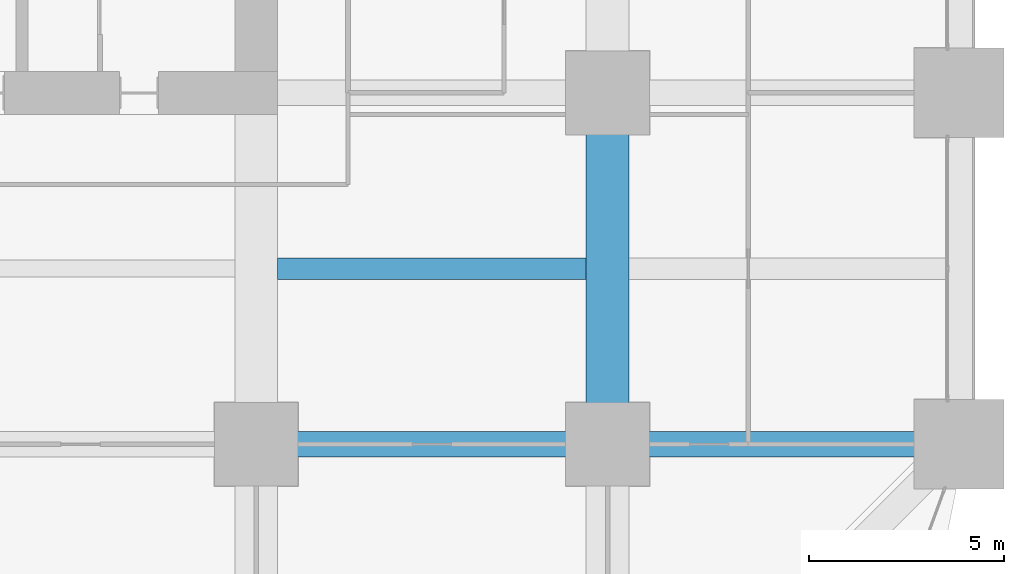
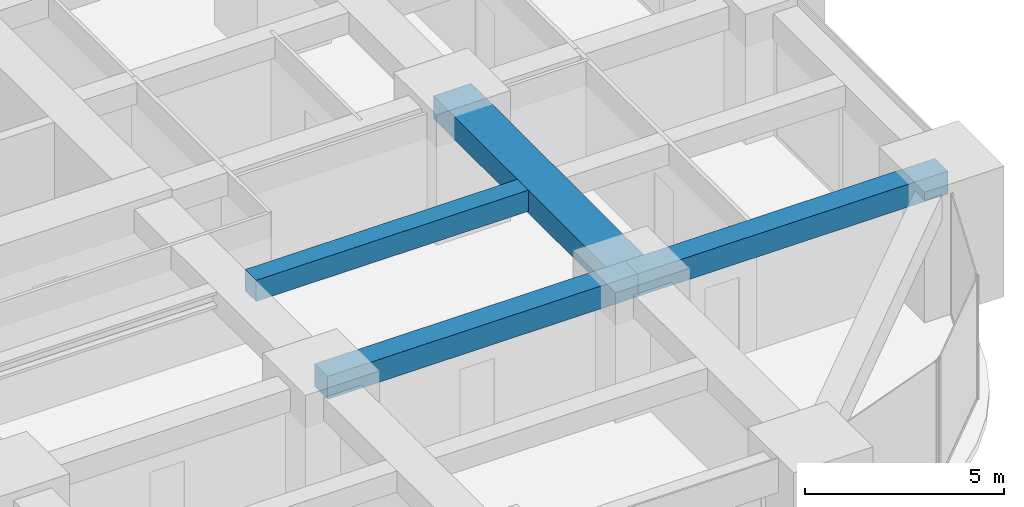
# One storey, part 17 of 44: 4 beams.
"""IFC4 building model written with IfcOpenShell, lengths in metres."""

from ifc_helpers import new_model, si_unit, direction, frame, origin, origin_2d, place, context, subcontext, project, spatial, rectangle, extrude, material, material_profile, profile_set, type_object, element, save


model = new_model("IFC4")

# Units and contexts
model_context = context("Model", 3, precision=1e-05, world=origin(), true_north=direction((0.0, 1.0)))
body_context = subcontext(model_context, "Body", "Model", "MODEL_VIEW")
ifc_project = project(units=[si_unit("LENGTHUNIT", "METRE"), si_unit("AREAUNIT", "SQUARE_METRE"), si_unit("VOLUMEUNIT", "CUBIC_METRE"), si_unit("PLANEANGLEUNIT", "RADIAN"), si_unit("MASSUNIT", "GRAM", prefix="KILO")], contexts=[model_context])

# Site, building, storey
site_placement = place(None, origin())
site = spatial("IfcSite", under=ifc_project, at=site_placement, CompositionType="ELEMENT")
building_placement = place(site_placement, origin())
building = spatial("IfcBuilding", under=site, at=building_placement, Name="Zorevar Civic Tower", CompositionType="ELEMENT")
storey_placement = place(building_placement, frame((0.0, 0.0, 55.800048828125)))
storey = spatial("IfcBuildingStorey", under=building, at=storey_placement, Name="L13", CompositionType="ELEMENT", Elevation=55.800048828125)

# Beams
ifc_material_1 = material(Name="Concrete C50/60", Category="concrete")
ifc_material_profile_1 = material_profile(ifc_material_1, rectangle(XDim=1.10009765625, YDim=0.699951171875, at=origin_2d()), Name="RC 1100x700")
ifc_profile_set_1 = profile_set([ifc_material_profile_1], Name="Concrete C50/60")
beam_type_1 = type_object("IfcBeamType", Name="Beam RC 1100x700", PredefinedType="BEAM", material=ifc_profile_set_1)
beam_1_placement = place(storey_placement, frame((54.0, 9.0, 3.39990234375), z_axis=(0.0, 1.0, 0.0), x_axis=(-1.0, 0.0, 0.0)))
element("IfcBeam", 1, at=beam_1_placement, inside=storey, type_object=beam_type_1, Name="Girder L14", PredefinedType="BEAM", context=body_context, shape_type="SweptSolid", body=[
    extrude(rectangle(XDim=1.10009765625, YDim=0.699951171875, at=origin_2d()), origin(), (0.0, 0.0, 1.0), 9.0),
])
ifc_material_2 = material(Name="Concrete C50/60", Category="concrete")
ifc_material_profile_2 = material_profile(ifc_material_2, rectangle(XDim=0.550048828125, YDim=0.64990234375, at=origin_2d()), Name="RC 550x650")
ifc_profile_set_2 = profile_set([ifc_material_profile_2], Name="Concrete C50/60")
beam_type_2 = type_object("IfcBeamType", Name="Beam RC 550x650", PredefinedType="BEAM", material=ifc_profile_set_2)
beam_2_placement = place(storey_placement, frame((45.550048828125, 13.5, 3.425048828125), z_axis=(1.0, 0.0, 0.0), x_axis=(0.0, 1.0, 0.0)))
element("IfcBeam", 2, at=beam_2_placement, inside=storey, type_object=beam_type_2, Name="Secondary beam L14", PredefinedType="BEAM", context=body_context, shape_type="SweptSolid", body=[
    extrude(rectangle(XDim=0.550048828125, YDim=0.64990234375, at=origin_2d()), origin(), (0.0, 0.0, 1.0), 7.89990234375),
])
ifc_material_3 = material(Name="Concrete C50/60", Category="concrete")
ifc_material_profile_3 = material_profile(ifc_material_3, rectangle(XDim=0.64990234375, YDim=0.699951171875, at=origin_2d()), Name="RC 650x700")
ifc_profile_set_3 = profile_set([ifc_material_profile_3], Name="Concrete C50/60")
beam_type_3 = type_object("IfcBeamType", Name="Beam RC 650x700", PredefinedType="BEAM", material=ifc_profile_set_3)
for number, where, z_axis, x_axis, name in (
    (3, (45.0, 9.0, 3.39990234375), (1.0, 0.0, 0.0), (0.0, 1.0, 0.0), "Girder L14"),
    (4, (54.0, 9.0, 3.39990234375), (1.0, 0.0, 0.0), (0.0, 1.0, 0.0), "Girder L14"),
):
    element("IfcBeam", number, at=place(storey_placement, frame(where, z_axis=z_axis, x_axis=x_axis)), inside=storey, type_object=beam_type_3, Name=name, PredefinedType="BEAM", context=body_context, shape_type="SweptSolid", body=[
        extrude(rectangle(XDim=0.64990234375, YDim=0.699951171875, at=origin_2d()), origin(), (0.0, 0.0, 1.0), 9.0),
    ])

save(model, "model.ifc")
